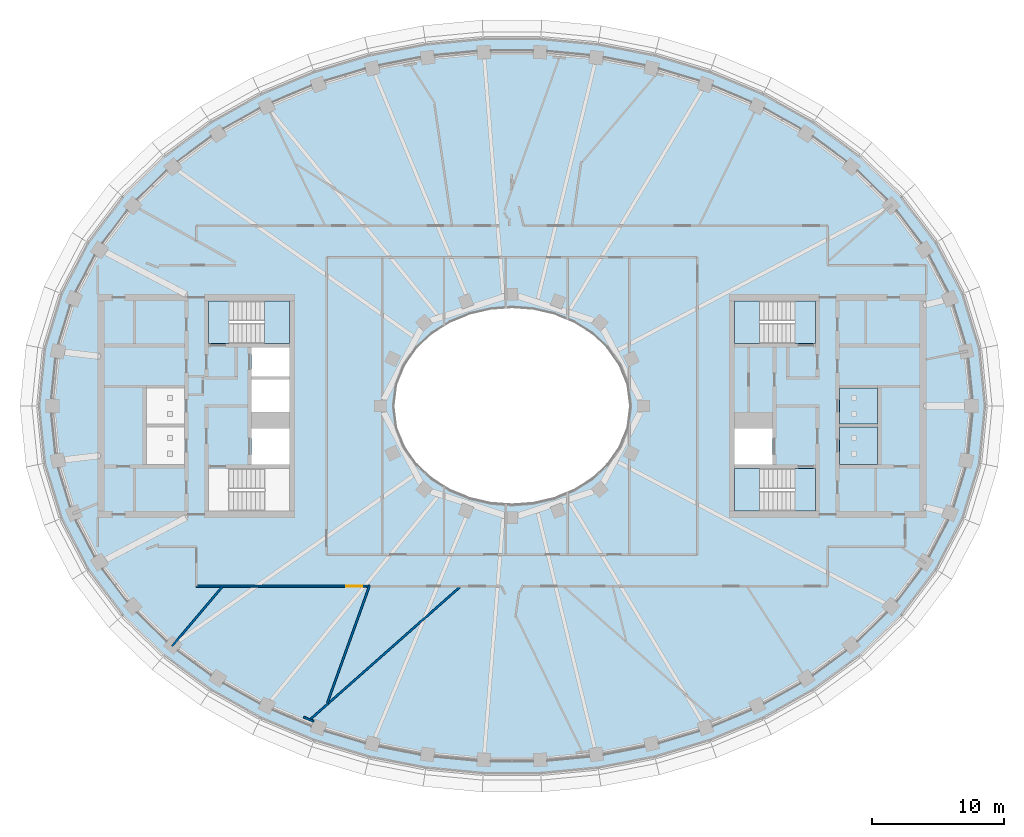
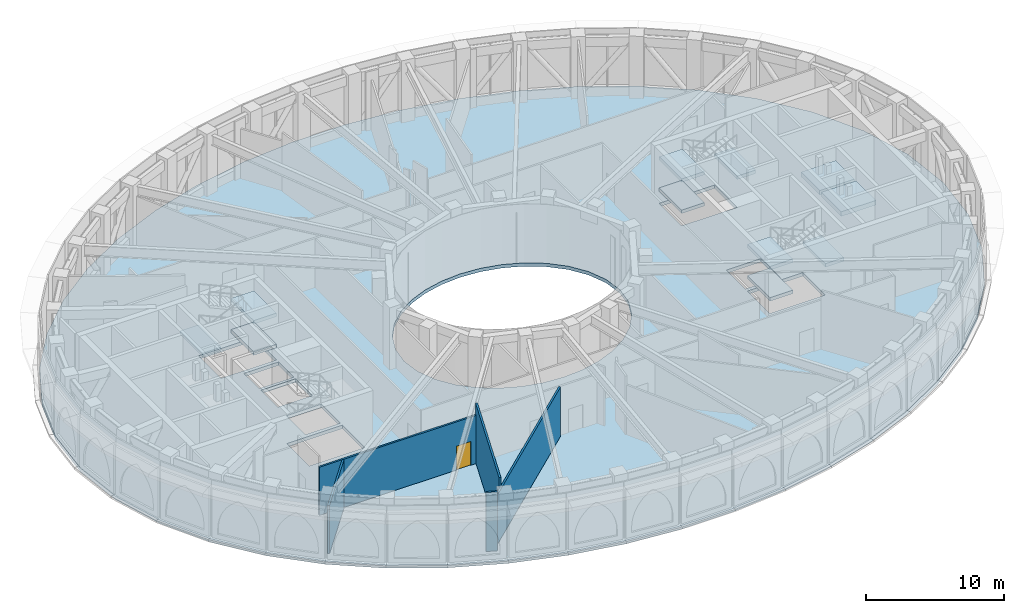
# One storey, part 4 of 23: 12 slabs, 5 walls, 1 door, 1 opening, 3 elements without a shape of their own.
"""IFC4 building model written with IfcOpenShell, lengths in metres."""

from ifc_helpers import new_model, si_unit, direction, frame, frame_2d, origin, place, context, subcontext, project, spatial, polyline, rectangle, outline, extrude, material, layer, layer_set, type_object, element, fill, aggregate, save


model = new_model("IFC4")

# Units and contexts
model_context = context("Model", 3, precision=1e-05, world=origin(), true_north=direction((0.0, 1.0)))
body_context = subcontext(model_context, "Body", "Model", "MODEL_VIEW")
ifc_project = project(units=[si_unit("LENGTHUNIT", "METRE"), si_unit("AREAUNIT", "SQUARE_METRE"), si_unit("VOLUMEUNIT", "CUBIC_METRE"), si_unit("PLANEANGLEUNIT", "RADIAN"), si_unit("MASSUNIT", "GRAM", prefix="KILO")], contexts=[model_context])

# Site, building, storey
site_placement = place(None, origin())
site = spatial("IfcSite", under=ifc_project, at=site_placement, CompositionType="ELEMENT")
building_placement = place(site_placement, origin())
building = spatial("IfcBuilding", under=site, at=building_placement, Name="Noorbagh Ring Tower", CompositionType="ELEMENT")
storey_placement = place(building_placement, frame((0.0, 0.0, 285.5)))
storey = spatial("IfcBuildingStorey", under=building, at=storey_placement, Name="L61", CompositionType="ELEMENT", Elevation=285.5)

# Slabs
ifc_material_1 = material(Name="Concrete C40/50", Category="concrete")
ifc_layer_1 = layer(ifc_material_1, 0.39990234375)
ifc_layer_set_1 = layer_set([ifc_layer_1], Name="Concrete C40/50")
slab_type_1 = type_object("IfcSlabType", Name="CORE-PIT-SLAB", PredefinedType="BASESLAB", material=ifc_layer_set_1)
slab_1_placement = place(storey_placement, frame((0.0, 0.0, 3.60009765625)))
element("IfcSlab", 1, at=slab_1_placement, inside=storey, type_object=slab_type_1, Name="Lift pit floor HR12", PredefinedType="BASESLAB", context=body_context, shape_type="SweptSolid", body=[
    extrude(outline(polyline([(24.89990234375, -4.449951171875), (27.800048828125, -4.449951171875), (27.800048828125, -1.60009765625), (24.89990234375, -1.60009765625), (24.89990234375, -4.449951171875)])), origin(), (0.0, 0.0, 1.0), 0.39990234375),
])
slab_2_placement = place(storey_placement, frame((0.0, 0.0, 3.60009765625)))
element("IfcSlab", 2, at=slab_2_placement, inside=storey, type_object=slab_type_1, Name="Lift pit floor HR13", PredefinedType="BASESLAB", context=body_context, shape_type="SweptSolid", body=[
    extrude(outline(polyline([(24.89990234375, -1.35009765625), (27.800048828125, -1.35009765625), (27.800048828125, 1.35009765625), (24.89990234375, 1.35009765625), (24.89990234375, -1.35009765625)])), origin(), (0.0, 0.0, 1.0), 0.39990234375),
])

# Stair, slabs
ifc_material_2 = material(Name="Concrete C40/50", Category="concrete")
stair_type = type_object("IfcStairType", Name="CORE-STAIR", PredefinedType="HALF_TURN_STAIR", material=ifc_material_2)
stair_1_placement = place(storey_placement, origin())
stair_1 = element("IfcStair", 3, at=stair_1_placement, inside=storey, type_object=stair_type, Name="L61 Exit stair ST1", PredefinedType="HALF_TURN_STAIR")
ifc_material_3 = material(Name="Concrete C40/50", Category="concrete")
ifc_layer_2 = layer(ifc_material_3, 0.300048828125)
ifc_layer_set_2 = layer_set([ifc_layer_2], Name="Concrete C40/50")
slab_type_2 = type_object("IfcSlabType", Name="CORE-STAIR-LANDING", PredefinedType="LANDING", material=ifc_layer_set_2)
slab_3_placement = place(storey_placement, frame((0.0, 0.0, 1.074951171875)))
slab_3 = element("IfcSlab", 4, at=slab_3_placement, type_object=slab_type_2, Name="ST1 landing 1", PredefinedType="LANDING", context=body_context, shape_type="SweptSolid", body=[
    extrude(outline(polyline([(-18.81005859375, 4.75), (-16.89990234375, 4.75), (-16.89990234375, 8.0), (-18.81005859375, 8.0), (-18.81005859375, 4.75)])), origin(), (0.0, 0.0, 1.0), 0.300048828125),
])
slab_4_placement = place(storey_placement, frame((0.0, 0.0, 2.449951171875)))
slab_4 = element("IfcSlab", 5, at=slab_4_placement, type_object=slab_type_2, Name="ST1 landing 2", PredefinedType="LANDING", context=body_context, shape_type="SweptSolid", body=[
    extrude(outline(polyline([(-23.080078125, 4.75), (-21.530029296875, 4.75), (-21.530029296875, 8.0), (-23.080078125, 8.0), (-23.080078125, 4.75)])), origin(), (0.0, 0.0, 1.0), 0.300048828125),
])
slab_5_placement = place(storey_placement, frame((0.0, 0.0, 3.824951171875)))
slab_5 = element("IfcSlab", 6, at=slab_5_placement, type_object=slab_type_2, Name="ST1 landing 3", PredefinedType="LANDING", context=body_context, shape_type="SweptSolid", body=[
    extrude(outline(polyline([(-18.81005859375, 4.75), (-16.89990234375, 4.75), (-16.89990234375, 8.0), (-18.81005859375, 8.0), (-18.81005859375, 4.75)])), origin(), (0.0, 0.0, 1.0), 0.300048828125),
])
aggregate(stair_1, [slab_3, slab_4, slab_5])

stair_2_placement = place(storey_placement, origin())
stair_2 = element("IfcStair", 7, at=stair_2_placement, inside=storey, type_object=stair_type, Name="L61 Exit stair ST3", PredefinedType="HALF_TURN_STAIR")
slab_6_placement = place(storey_placement, frame((0.0, 0.0, 1.074951171875)))
slab_6 = element("IfcSlab", 8, at=slab_6_placement, type_object=slab_type_2, Name="ST3 landing 1", PredefinedType="LANDING", context=body_context, shape_type="SweptSolid", body=[
    extrude(outline(polyline([(18.81005859375, 8.0), (16.89990234375, 8.0), (16.89990234375, 4.75), (18.81005859375, 4.75), (18.81005859375, 8.0)])), origin(), (0.0, 0.0, 1.0), 0.300048828125),
])
slab_7_placement = place(storey_placement, frame((0.0, 0.0, 2.449951171875)))
slab_7 = element("IfcSlab", 9, at=slab_7_placement, type_object=slab_type_2, Name="ST3 landing 2", PredefinedType="LANDING", context=body_context, shape_type="SweptSolid", body=[
    extrude(outline(polyline([(23.080078125, 8.0), (21.530029296875, 8.0), (21.530029296875, 4.75), (23.080078125, 4.75), (23.080078125, 8.0)])), origin(), (0.0, 0.0, 1.0), 0.300048828125),
])
slab_8_placement = place(storey_placement, frame((0.0, 0.0, 3.824951171875)))
slab_8 = element("IfcSlab", 10, at=slab_8_placement, type_object=slab_type_2, Name="ST3 landing 3", PredefinedType="LANDING", context=body_context, shape_type="SweptSolid", body=[
    extrude(outline(polyline([(18.81005859375, 8.0), (16.89990234375, 8.0), (16.89990234375, 4.75), (18.81005859375, 4.75), (18.81005859375, 8.0)])), origin(), (0.0, 0.0, 1.0), 0.300048828125),
])
aggregate(stair_2, [slab_6, slab_7, slab_8])

stair_3_placement = place(storey_placement, origin())
stair_3 = element("IfcStair", 11, at=stair_3_placement, inside=storey, type_object=stair_type, Name="L61 Exit stair ST4", PredefinedType="HALF_TURN_STAIR")
slab_9_placement = place(storey_placement, frame((0.0, 0.0, 1.074951171875)))
slab_9 = element("IfcSlab", 12, at=slab_9_placement, type_object=slab_type_2, Name="ST4 landing 1", PredefinedType="LANDING", context=body_context, shape_type="SweptSolid", body=[
    extrude(outline(polyline([(18.81005859375, -4.75), (16.89990234375, -4.75), (16.89990234375, -8.0), (18.81005859375, -8.0), (18.81005859375, -4.75)])), origin(), (0.0, 0.0, 1.0), 0.300048828125),
])
slab_10_placement = place(storey_placement, frame((0.0, 0.0, 2.449951171875)))
slab_10 = element("IfcSlab", 13, at=slab_10_placement, type_object=slab_type_2, Name="ST4 landing 2", PredefinedType="LANDING", context=body_context, shape_type="SweptSolid", body=[
    extrude(outline(polyline([(23.080078125, -4.75), (21.530029296875, -4.75), (21.530029296875, -8.0), (23.080078125, -8.0), (23.080078125, -4.75)])), origin(), (0.0, 0.0, 1.0), 0.300048828125),
])
slab_11_placement = place(storey_placement, frame((0.0, 0.0, 3.824951171875)))
slab_11 = element("IfcSlab", 14, at=slab_11_placement, type_object=slab_type_2, Name="ST4 landing 3", PredefinedType="LANDING", context=body_context, shape_type="SweptSolid", body=[
    extrude(outline(polyline([(18.81005859375, -4.75), (16.89990234375, -4.75), (16.89990234375, -8.0), (18.81005859375, -8.0), (18.81005859375, -4.75)])), origin(), (0.0, 0.0, 1.0), 0.300048828125),
])
aggregate(stair_3, [slab_9, slab_10, slab_11])

# Slab
ifc_material_4 = material(Name="Concrete C40/50", Category="concrete")
ifc_layer_3 = layer(ifc_material_4, 0.300048828125)
ifc_layer_set_3 = layer_set([ifc_layer_3], Name="Concrete C40/50")
slab_type_3 = type_object("IfcSlabType", Name="STR-FLOOR-DECK-300", PredefinedType="FLOOR", material=ifc_layer_set_3)
slab_12_placement = place(storey_placement, frame((0.0, 0.0, -0.300048828125)))
element("IfcSlab", 15, at=slab_12_placement, inside=storey, type_object=slab_type_3, Name="L61/slab/1", PredefinedType="FLOOR", context=body_context, shape_type="SweptSolid", body=[
    extrude(outline(polyline([(36.0, 0.0), (35.56103515625, 4.358642578125), (34.281005859375, 8.548828125), (32.255126953125, 12.434814453125), (29.607666015625, 15.92822265625), (26.463134765625, 18.983154296875), (22.9326171875, 21.583740234375), (19.108154296875, 23.730224609375), (15.0654296875, 25.430419921875), (10.865234375, 26.6943359375), (6.5595703125, 27.53125), (2.193115234375, 27.947998046875), (-2.193115234375, 27.947998046875), (-6.5595703125, 27.53125), (-10.865234375, 26.6943359375), (-15.0654296875, 25.430419921875), (-19.108154296875, 23.730224609375), (-22.9326171875, 21.583740234375), (-26.463134765625, 18.983154296875), (-29.607666015625, 15.92822265625), (-32.255126953125, 12.434814453125), (-34.281005859375, 8.548828125), (-35.56103515625, 4.358642578125), (-36.0, 0.0), (-35.56103515625, -4.358642578125), (-34.281005859375, -8.548828125), (-32.255126953125, -12.434814453125), (-29.607666015625, -15.92822265625), (-26.463134765625, -18.983154296875), (-22.9326171875, -21.583740234375), (-19.108154296875, -23.730224609375), (-15.0654296875, -25.430419921875), (-10.865234375, -26.6943359375), (-6.5595703125, -27.53125), (-2.193115234375, -27.947998046875), (2.193115234375, -27.947998046875), (6.5595703125, -27.53125), (10.865234375, -26.6943359375), (15.0654296875, -25.430419921875), (19.108154296875, -23.730224609375), (22.9326171875, -21.583740234375), (26.463134765625, -18.983154296875), (29.607666015625, -15.92822265625), (32.255126953125, -12.434814453125), (34.281005859375, -8.548828125), (35.56103515625, -4.358642578125), (36.0, 0.0)]), holes=[polyline([(21.529541015625, -4.75), (21.529541015625, -8.0), (16.89990234375, -8.0), (16.89990234375, -4.75), (21.529541015625, -4.75)]), polyline([(21.529541015625, 4.75), (16.89990234375, 4.75), (16.89990234375, 8.0), (21.529541015625, 8.0), (21.529541015625, 4.75)]), polyline([(16.89990234375, -4.449951171875), (16.89990234375, -1.699951171875), (19.800048828125, -1.699951171875), (19.800048828125, -4.449951171875), (16.89990234375, -4.449951171875)]), polyline([(6.071044921875, -5.53662109375), (4.697509765625, -6.3974609375), (3.196533203125, -7.010986328125), (1.6171875, -7.3779296875), (0.0, -7.5), (-1.6171875, -7.3779296875), (-3.196533203125, -7.010986328125), (-4.697509765625, -6.3974609375), (-6.071044921875, -5.53662109375), (-7.2587890625, -4.43408203125), (-8.1904296875, -3.10888671875), (-8.79150390625, -1.605224609375), (-9.0, 0.0), (-8.79150390625, 1.605224609375), (-8.1904296875, 3.10888671875), (-7.2587890625, 4.43408203125), (-6.071044921875, 5.53662109375), (-4.697509765625, 6.3974609375), (-3.196533203125, 7.010986328125), (-1.6171875, 7.3779296875), (0.0, 7.5), (1.6171875, 7.3779296875), (3.196533203125, 7.010986328125), (4.697509765625, 6.3974609375), (6.071044921875, 5.53662109375), (7.2587890625, 4.43408203125), (8.1904296875, 3.10888671875), (8.79150390625, 1.605224609375), (9.0, 0.0), (8.79150390625, -1.605224609375), (8.1904296875, -3.10888671875), (7.2587890625, -4.43408203125), (6.071044921875, -5.53662109375)]), polyline([(-21.529541015625, -8.0), (-21.529541015625, -4.75), (-16.89990234375, -4.75), (-16.89990234375, -8.0), (-21.529541015625, -8.0)]), polyline([(-21.529541015625, 8.0), (-16.89990234375, 8.0), (-16.89990234375, 4.75), (-21.529541015625, 4.75), (-21.529541015625, 8.0)]), polyline([(-16.89990234375, -1.699951171875), (-16.89990234375, -4.449951171875), (-19.800048828125, -4.449951171875), (-19.800048828125, -1.699951171875), (-16.89990234375, -1.699951171875)]), polyline([(-16.89990234375, 2.0), (-16.89990234375, -0.449951171875), (-19.800048828125, -0.449951171875), (-19.800048828125, 2.0), (-16.89990234375, 2.0)]), polyline([(-16.89990234375, 4.449951171875), (-16.89990234375, 2.25), (-19.800048828125, 2.25), (-19.800048828125, 4.449951171875), (-16.89990234375, 4.449951171875)])]), origin(), (0.0, 0.0, 1.0), 0.300048828125),
])

# Wall
ifc_material_5 = material(Name="Gypsum board on steel studs", Category="steel")
ifc_layer_4 = layer(ifc_material_5, 0.14990234375)
ifc_layer_set_4 = layer_set([ifc_layer_4], Name="Gypsum board on steel studs")
wall_type = type_object("IfcWallType", Name="COMPARTMENT PARTITION 150 EI 60", PredefinedType="PARTITIONING", material=ifc_layer_set_4)
wall_1_placement = place(storey_placement, frame((-25.846923828125, -18.257080078125, 0.0), z_axis=(0.0, 0.0, 1.0), x_axis=(0.646341150503, 0.763048568026, 0.0)))
element("IfcWall", 16, at=wall_1_placement, inside=storey, type_object=wall_type, Name="L61/wall/P07", PredefinedType="PARTITIONING", context=body_context, shape_type="SweptSolid", body=[
    extrude(rectangle(XDim=5.869873046875, YDim=0.14990234375, at=frame_2d((2.93505859375, 0.0))), origin(), (0.0, 0.0, 1.0), 4.25),
])

# Wall, opening, door
wall_2_placement = place(storey_placement, frame((-24.0, -13.699951171875, 0.0), z_axis=(0.0, 0.0, 1.0), x_axis=(1.0, 0.0, 0.0)))
wall_2 = element("IfcWall", 17, at=wall_2_placement, inside=storey, type_object=wall_type, Name="L61/wall/P09", PredefinedType="PARTITIONING", context=body_context, shape_type="SweptSolid", body=[
    extrude(rectangle(XDim=13.14111328125, YDim=0.14990234375, at=frame_2d((6.570556640625, 0.0))), origin(), (0.0, 0.0, 1.0), 4.25),
])
opening_placement = place(wall_2_placement, frame((11.406982421875, 0.0, 0.0)))
opening = element("IfcOpeningElement", 18, at=opening_placement, cuts=wall_2, Name="Opening D7", PredefinedType="OPENING", context=body_context, shape_type="SweptSolid", body=[
    extrude(rectangle(XDim=1.199951171875, YDim=2.10009765625, at=frame_2d((0.60009765625, 1.050048828125))), frame((0.0, 0.0849609375, 0.0), z_axis=(0.0, -1.0, 0.0), x_axis=(1.0, 0.0, 0.0)), (0.0, 0.0, 1.0), 0.169921875),
])
ifc_material_6 = material(Name="Timber, painted", Category="wood")
door_type = type_object("IfcDoorType", Name="DOOR 1200 X 2100 FD60", OperationType="SINGLE_SWING_LEFT", PredefinedType="DOOR", material=ifc_material_6)
door_placement = place(opening_placement, origin())
door = element("IfcDoor", 19, at=door_placement, inside=storey, type_object=door_type, Name="L61-D04", OperationType="SINGLE_SWING_RIGHT", OverallHeight=2.10009765625, OverallWidth=1.199951171875, PredefinedType="DOOR", context=body_context, shape_type="SweptSolid", body=[
    extrude(rectangle(XDim=1.199951171875, YDim=2.10009765625, at=frame_2d((0.60009765625, 1.050048828125))), frame((0.0, 0.02490234375, 0.0), z_axis=(0.0, -1.0, 0.0), x_axis=(1.0, 0.0, 0.0)), (0.0, 0.0, 1.0), 0.050048828125),
])
fill(opening, door)

# Walls
wall_3_placement = place(storey_placement, frame((-15.283203125, -23.776123046875, 0.0), z_axis=(0.0, 0.0, 1.0), x_axis=(0.749145369711, 0.662405627271, 0.0)))
element("IfcWall", 20, at=wall_3_placement, inside=storey, type_object=wall_type, Name="L61/wall/P14", PredefinedType="PARTITIONING", context=body_context, shape_type="SweptSolid", body=[
    extrude(rectangle(XDim=15.092041015625, YDim=0.14990234375, at=frame_2d((7.5458984375, 0.0))), origin(), (0.0, 0.0, 1.0), 4.35009765625),
])
wall_4_placement = place(storey_placement, frame((-14.0390625, -22.575927734375, 0.0), z_axis=(0.0, 0.0, 1.0), x_axis=(0.338408619955, 0.940999259266, 0.0)))
element("IfcWall", 21, at=wall_4_placement, inside=storey, type_object=wall_type, Name="L61/wall/P18", PredefinedType="PARTITIONING", context=body_context, shape_type="SweptSolid", body=[
    extrude(rectangle(XDim=9.51220703125, YDim=0.14990234375, at=frame_2d((4.756103515625, 0.0))), origin(), (0.0, 0.0, 1.0), 5.199951171875),
])
wall_5_placement = place(storey_placement, frame((-15.8359375, -23.663330078125, 0.0), z_axis=(0.0, 0.0, 1.0), x_axis=(0.921729013989, -0.38783453272, 0.0)))
element("IfcWall", 22, at=wall_5_placement, inside=storey, type_object=wall_type, Name="L61/wall/P64", PredefinedType="PARTITIONING", context=body_context, shape_type="SweptSolid", body=[
    extrude(rectangle(XDim=0.833984375, YDim=0.14990234375, at=frame_2d((0.4169921875, 0.0))), origin(), (0.0, 0.0, 1.0), 5.199951171875),
])

save(model, "model.ifc")
